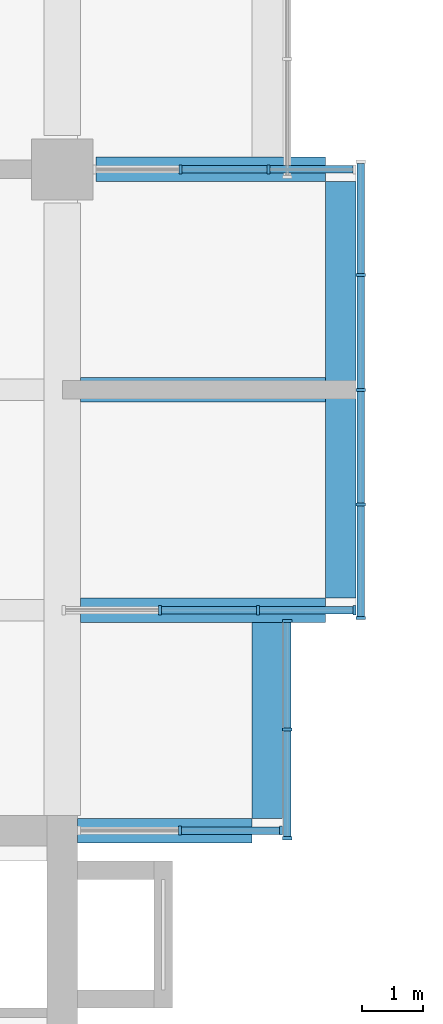
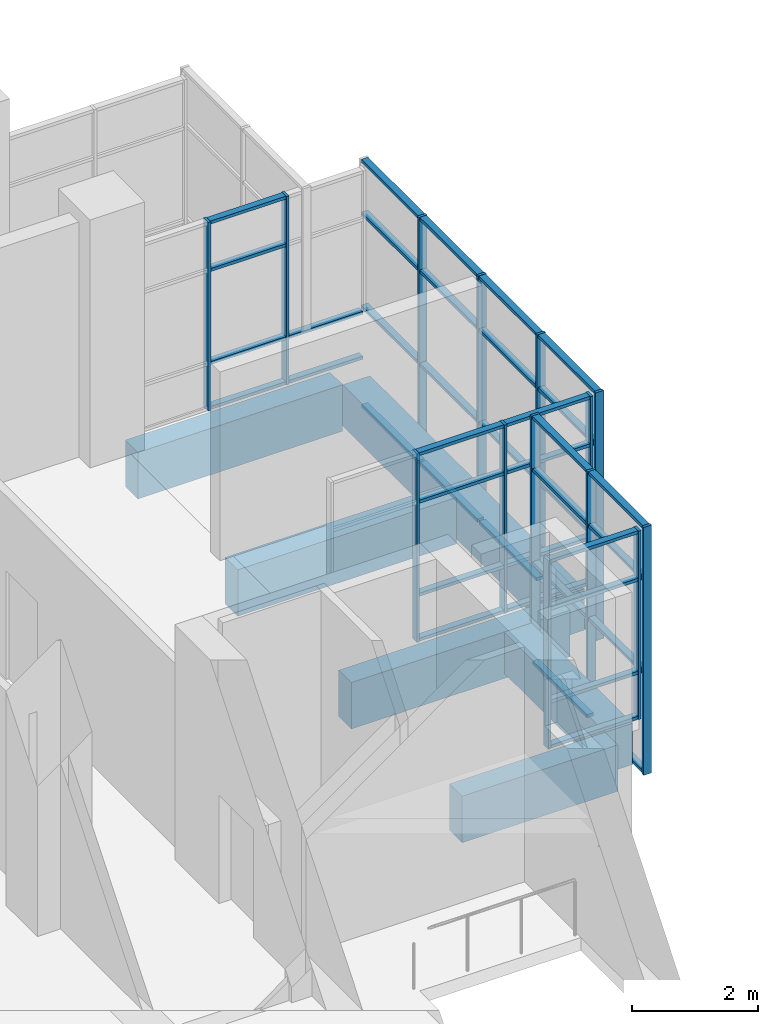
# One storey, part 16 of 45: 56 members, 7 beams, 5 elements without a shape of their own.
"""IFC4 building model written with IfcOpenShell, lengths in metres."""

from ifc_helpers import new_model, si_unit, direction, frame, origin, origin_2d, place, context, subcontext, project, spatial, rectangle, extrude, material, layer, layer_set, material_profile, profile_set, type_object, element, aggregate, save


model = new_model("IFC4")

# Units and contexts
model_context = context("Model", 3, precision=1e-05, world=origin(), true_north=direction((0.0, 1.0)))
body_context = subcontext(model_context, "Body", "Model", "MODEL_VIEW")
ifc_project = project(units=[si_unit("LENGTHUNIT", "METRE"), si_unit("AREAUNIT", "SQUARE_METRE"), si_unit("VOLUMEUNIT", "CUBIC_METRE"), si_unit("PLANEANGLEUNIT", "RADIAN"), si_unit("MASSUNIT", "GRAM", prefix="KILO")], contexts=[model_context])

# Site, building, storey
site_placement = place(None, origin())
site = spatial("IfcSite", under=ifc_project, at=site_placement, CompositionType="ELEMENT")
building_placement = place(site_placement, origin())
building = spatial("IfcBuilding", under=site, at=building_placement, Name="Basin Gate Institute", CompositionType="ELEMENT")
storey_placement = place(building_placement, frame((0.0, 0.0, 22.199951171875)))
storey = spatial("IfcBuildingStorey", under=building, at=storey_placement, Name="L04", CompositionType="ELEMENT", Elevation=22.199951171875)

# Beams
ifc_material_1 = material(Name="Concrete 50 MPa", Category="concrete")
ifc_material_profile_1 = material_profile(ifc_material_1, rectangle(XDim=0.39990234375, YDim=0.89990234375, at=origin_2d()), Name="Cantilever beam B3 400 x 900")
ifc_profile_set_1 = profile_set([ifc_material_profile_1], Name="Concrete 50 MPa")
beam_type_1 = type_object("IfcBeamType", Name="Cantilever beam B3 R120", PredefinedType="BEAM", material=ifc_profile_set_1)
beam_1_placement = place(storey_placement, frame((121.89990234375, 45.89990234375, -0.699951171875), z_axis=(-1.0, 0.0, 0.0), x_axis=(0.0, -1.0, 0.0)))
element("IfcBeam", 1, at=beam_1_placement, inside=storey, type_object=beam_type_1, material=ifc_profile_set_1, Name="BEAM/L04/E/CANT/04", PredefinedType="BEAM", context=body_context, shape_type="SweptSolid", body=[
    extrude(rectangle(XDim=0.39990234375, YDim=0.89990234375, at=origin_2d()), origin(), (0.0, 0.0, 1.0), 2.849853515625),
])
for number, where, z_axis, x_axis, name in (
    (2, (123.10009765625, 49.5, -0.699951171875), (-1.0, 0.0, 0.0), (0.0, -1.0, 0.0), "BEAM/L04/E/CANT/05"),
    (3, (123.10009765625, 53.10009765625, -0.699951171875), (-1.0, 0.0, 0.0), (0.0, -1.0, 0.0), "BEAM/L04/E/CANT/06"),
):
    element("IfcBeam", number, at=place(storey_placement, frame(where, z_axis=z_axis, x_axis=x_axis)), inside=storey, type_object=beam_type_1, material=ifc_profile_set_1, Name=name, PredefinedType="BEAM", context=body_context, shape_type="SweptSolid", body=[
        extrude(rectangle(XDim=0.39990234375, YDim=0.89990234375, at=origin_2d()), origin(), (0.0, 0.0, 1.0), 4.0),
    ])
beam_2_placement = place(storey_placement, frame((123.10009765625, 56.699951171875, -0.699951171875), z_axis=(-1.0, 0.0, 0.0), x_axis=(0.0, -1.0, 0.0)))
element("IfcBeam", 4, at=beam_2_placement, inside=storey, type_object=beam_type_1, material=ifc_profile_set_1, Name="BEAM/L04/E/CANT/07", PredefinedType="BEAM", context=body_context, shape_type="SweptSolid", body=[
    extrude(rectangle(XDim=0.39990234375, YDim=0.89990234375, at=origin_2d()), origin(), (0.0, 0.0, 1.0), 3.75),
])

# Curtain wall, members
ifc_material_2 = material(Name="Aluminium-framed glazing", Category="aluminium")
ifc_layer = layer(ifc_material_2, 0.14990234375)
ifc_layer_set = layer_set([ifc_layer], Name="Capsule front curtain wall CW1")
curtain_wall_type = type_object("IfcCurtainWallType", Name="Capsule front curtain wall CW1", PredefinedType="NOTDEFINED", material=ifc_layer_set)
curtain_wall_1_placement = place(storey_placement, origin())
curtain_wall_1 = element("IfcCurtainWall", 5, at=curtain_wall_1_placement, inside=storey, type_object=curtain_wall_type, material=ifc_layer_set, Name="Capsule front curtain wall E wing capsule end L04 line 4", PredefinedType="NOTDEFINED")
ifc_material_3 = material(Name="Aluminium", Category="aluminium")
ifc_material_profile_2 = material_profile(ifc_material_3, rectangle(XDim=0.14990234375, YDim=0.050048828125, at=origin_2d()), Name="Mullion MU1 150 x 50")
ifc_profile_set_2 = profile_set([ifc_material_profile_2], Name="Aluminium")
member_type_1 = type_object("IfcMemberType", Name="Mullion MU1", PredefinedType="MULLION", material=ifc_profile_set_2)
member_1_placement = place(storey_placement, frame((122.375, 45.89990234375, 0.0), z_axis=(0.0, 0.0, 1.0), x_axis=(0.0, -1.0, 0.0)))
member_1 = element("IfcMember", 6, at=member_1_placement, type_object=member_type_1, material=ifc_profile_set_2, Name="CW1 mullion 1", PredefinedType="MULLION", context=body_context, shape_type="SweptSolid", body=[
    extrude(rectangle(XDim=0.14990234375, YDim=0.050048828125, at=origin_2d()), origin(), (0.0, 0.0, 1.0), 3.650146484375),
])
member_2_placement = place(storey_placement, frame((120.72509765625, 45.89990234375, 0.0), z_axis=(0.0, 0.0, 1.0), x_axis=(0.0, -1.0, 0.0)))
member_2 = element("IfcMember", 7, at=member_2_placement, type_object=member_type_1, material=ifc_profile_set_2, Name="CW1 mullion 2", PredefinedType="MULLION", context=body_context, shape_type="SweptSolid", body=[
    extrude(rectangle(XDim=0.14990234375, YDim=0.050048828125, at=origin_2d()), origin(), (0.0, 0.0, 1.0), 3.650146484375),
])

curtain_wall_2_placement = place(storey_placement, origin())
curtain_wall_2 = element("IfcCurtainWall", 8, at=curtain_wall_2_placement, inside=storey, type_object=curtain_wall_type, material=ifc_layer_set, Name="Capsule front curtain wall E wing capsule end L04 line 5", PredefinedType="NOTDEFINED")
member_3_placement = place(storey_placement, frame((123.574951171875, 49.5, 0.0), z_axis=(0.0, 0.0, 1.0), x_axis=(0.0, -1.0, 0.0)))
member_3 = element("IfcMember", 9, at=member_3_placement, type_object=member_type_1, material=ifc_profile_set_2, Name="CW1 mullion 1", PredefinedType="MULLION", context=body_context, shape_type="SweptSolid", body=[
    extrude(rectangle(XDim=0.14990234375, YDim=0.050048828125, at=origin_2d()), origin(), (0.0, 0.0, 1.0), 3.650146484375),
])
member_4_placement = place(storey_placement, frame((122.0, 49.5, 0.0), z_axis=(0.0, 0.0, 1.0), x_axis=(0.0, -1.0, 0.0)))
member_4 = element("IfcMember", 10, at=member_4_placement, type_object=member_type_1, material=ifc_profile_set_2, Name="CW1 mullion 2", PredefinedType="MULLION", context=body_context, shape_type="SweptSolid", body=[
    extrude(rectangle(XDim=0.14990234375, YDim=0.050048828125, at=origin_2d()), origin(), (0.0, 0.0, 1.0), 3.650146484375),
])
member_5_placement = place(storey_placement, frame((120.39990234375, 49.5, 0.0), z_axis=(0.0, 0.0, 1.0), x_axis=(0.0, -1.0, 0.0)))
member_5 = element("IfcMember", 11, at=member_5_placement, type_object=member_type_1, material=ifc_profile_set_2, Name="CW1 mullion 3", PredefinedType="MULLION", context=body_context, shape_type="SweptSolid", body=[
    extrude(rectangle(XDim=0.14990234375, YDim=0.050048828125, at=origin_2d()), origin(), (0.0, 0.0, 1.0), 3.650146484375),
])

curtain_wall_3_placement = place(storey_placement, origin())
curtain_wall_3 = element("IfcCurtainWall", 12, at=curtain_wall_3_placement, inside=storey, type_object=curtain_wall_type, material=ifc_layer_set, Name="Capsule front curtain wall E wing capsule end L04 line 7", PredefinedType="NOTDEFINED")
member_6_placement = place(storey_placement, frame((122.166748046875, 56.699951171875, 0.0), z_axis=(0.0, 0.0, 1.0), x_axis=(0.0, -1.0, 0.0)))
member_6 = element("IfcMember", 13, at=member_6_placement, type_object=member_type_1, material=ifc_profile_set_2, Name="CW1 mullion 2", PredefinedType="MULLION", context=body_context, shape_type="SweptSolid", body=[
    extrude(rectangle(XDim=0.14990234375, YDim=0.050048828125, at=origin_2d()), origin(), (0.0, 0.0, 1.0), 3.650146484375),
])
member_7_placement = place(storey_placement, frame((120.7333984375, 56.699951171875, 0.0), z_axis=(0.0, 0.0, 1.0), x_axis=(0.0, -1.0, 0.0)))
member_7 = element("IfcMember", 14, at=member_7_placement, type_object=member_type_1, material=ifc_profile_set_2, Name="CW1 mullion 3", PredefinedType="MULLION", context=body_context, shape_type="SweptSolid", body=[
    extrude(rectangle(XDim=0.14990234375, YDim=0.050048828125, at=origin_2d()), origin(), (0.0, 0.0, 1.0), 3.650146484375),
])

curtain_wall_4_placement = place(storey_placement, origin())
curtain_wall_4 = element("IfcCurtainWall", 15, at=curtain_wall_4_placement, inside=storey, type_object=curtain_wall_type, material=ifc_layer_set, Name="Capsule front curtain wall E wing capsule 1 L04 front 1", PredefinedType="NOTDEFINED")
member_8_placement = place(storey_placement, frame((122.47509765625, 45.77490234375, -1.050048828125), z_axis=(0.0, 0.0, 1.0), x_axis=(-1.0, 0.0, 0.0)))
member_8 = element("IfcMember", 16, at=member_8_placement, type_object=member_type_1, material=ifc_profile_set_2, Name="CW1 mullion 1", PredefinedType="MULLION", context=body_context, shape_type="SweptSolid", body=[
    extrude(rectangle(XDim=0.14990234375, YDim=0.050048828125, at=origin_2d()), origin(), (0.0, 0.0, 1.0), 4.800048828125),
])
member_9_placement = place(storey_placement, frame((122.47509765625, 47.550048828125, -1.050048828125), z_axis=(0.0, 0.0, 1.0), x_axis=(-1.0, 0.0, 0.0)))
member_9 = element("IfcMember", 17, at=member_9_placement, type_object=member_type_1, material=ifc_profile_set_2, Name="CW1 mullion 2", PredefinedType="MULLION", context=body_context, shape_type="SweptSolid", body=[
    extrude(rectangle(XDim=0.14990234375, YDim=0.050048828125, at=origin_2d()), origin(), (0.0, 0.0, 1.0), 4.800048828125),
])
member_10_placement = place(storey_placement, frame((122.47509765625, 49.324951171875, -1.050048828125), z_axis=(0.0, 0.0, 1.0), x_axis=(-1.0, 0.0, 0.0)))
member_10 = element("IfcMember", 18, at=member_10_placement, type_object=member_type_1, material=ifc_profile_set_2, Name="CW1 mullion 3", PredefinedType="MULLION", context=body_context, shape_type="SweptSolid", body=[
    extrude(rectangle(XDim=0.14990234375, YDim=0.050048828125, at=origin_2d()), origin(), (0.0, 0.0, 1.0), 4.800048828125),
])

curtain_wall_5_placement = place(storey_placement, origin())
curtain_wall_5 = element("IfcCurtainWall", 19, at=curtain_wall_5_placement, inside=storey, type_object=curtain_wall_type, material=ifc_layer_set, Name="Capsule front curtain wall E wing capsule 1 L04 front 2", PredefinedType="NOTDEFINED")
member_11_placement = place(storey_placement, frame((123.675048828125, 49.375, -1.050048828125), z_axis=(0.0, 0.0, 1.0), x_axis=(-1.0, 0.0, 0.0)))
member_11 = element("IfcMember", 20, at=member_11_placement, type_object=member_type_1, material=ifc_profile_set_2, Name="CW1 mullion 1", PredefinedType="MULLION", context=body_context, shape_type="SweptSolid", body=[
    extrude(rectangle(XDim=0.14990234375, YDim=0.050048828125, at=origin_2d()), origin(), (0.0, 0.0, 1.0), 4.800048828125),
])
member_12_placement = place(storey_placement, frame((123.675048828125, 51.22509765625, -1.050048828125), z_axis=(0.0, 0.0, 1.0), x_axis=(-1.0, 0.0, 0.0)))
member_12 = element("IfcMember", 21, at=member_12_placement, type_object=member_type_1, material=ifc_profile_set_2, Name="CW1 mullion 2", PredefinedType="MULLION", context=body_context, shape_type="SweptSolid", body=[
    extrude(rectangle(XDim=0.14990234375, YDim=0.050048828125, at=origin_2d()), origin(), (0.0, 0.0, 1.0), 4.800048828125),
])
member_13_placement = place(storey_placement, frame((123.675048828125, 53.10009765625, -1.050048828125), z_axis=(0.0, 0.0, 1.0), x_axis=(-1.0, 0.0, 0.0)))
member_13 = element("IfcMember", 22, at=member_13_placement, type_object=member_type_1, material=ifc_profile_set_2, Name="CW1 mullion 3", PredefinedType="MULLION", context=body_context, shape_type="SweptSolid", body=[
    extrude(rectangle(XDim=0.14990234375, YDim=0.050048828125, at=origin_2d()), origin(), (0.0, 0.0, 1.0), 4.800048828125),
])
member_14_placement = place(storey_placement, frame((123.675048828125, 54.97509765625, -1.050048828125), z_axis=(0.0, 0.0, 1.0), x_axis=(-1.0, 0.0, 0.0)))
member_14 = element("IfcMember", 23, at=member_14_placement, type_object=member_type_1, material=ifc_profile_set_2, Name="CW1 mullion 4", PredefinedType="MULLION", context=body_context, shape_type="SweptSolid", body=[
    extrude(rectangle(XDim=0.14990234375, YDim=0.050048828125, at=origin_2d()), origin(), (0.0, 0.0, 1.0), 4.800048828125),
])

# Beams
ifc_material_4 = material(Name="Concrete 50 MPa", Category="concrete")
ifc_material_profile_3 = material_profile(ifc_material_4, rectangle(XDim=0.5, YDim=0.800048828125, at=origin_2d()), Name="Tip beam TB1 500 x 800")
ifc_profile_set_3 = profile_set([ifc_material_profile_3], Name="Concrete 50 MPa")
beam_type_2 = type_object("IfcBeamType", Name="Tip beam TB1 R120", PredefinedType="SPANDREL", material=ifc_profile_set_3)
beam_3_placement = place(storey_placement, frame((122.14990234375, 46.10009765625, -0.64990234375), z_axis=(0.0, 1.0, 0.0), x_axis=(-1.0, 0.0, 0.0)))
element("IfcBeam", 24, at=beam_3_placement, inside=storey, type_object=beam_type_2, material=ifc_profile_set_3, Name="BEAM/L04/E/TIP/1", PredefinedType="SPANDREL", context=body_context, shape_type="SweptSolid", body=[
    extrude(rectangle(XDim=0.5, YDim=0.800048828125, at=origin_2d()), origin(), (0.0, 0.0, 1.0), 3.199951171875),
])
beam_4_placement = place(storey_placement, frame((123.35009765625, 49.699951171875, -0.64990234375), z_axis=(0.0, 1.0, 0.0), x_axis=(-1.0, 0.0, 0.0)))
element("IfcBeam", 25, at=beam_4_placement, inside=storey, type_object=beam_type_2, material=ifc_profile_set_3, Name="BEAM/L04/E/TIP/2", PredefinedType="SPANDREL", context=body_context, shape_type="SweptSolid", body=[
    extrude(rectangle(XDim=0.5, YDim=0.800048828125, at=origin_2d()), origin(), (0.0, 0.0, 1.0), 3.400146484375),
])
beam_5_placement = place(storey_placement, frame((123.35009765625, 53.10009765625, -0.64990234375), z_axis=(0.0, 1.0, 0.0), x_axis=(-1.0, 0.0, 0.0)))
element("IfcBeam", 26, at=beam_5_placement, inside=storey, type_object=beam_type_2, material=ifc_profile_set_3, Name="BEAM/L04/E/TIP/3", PredefinedType="SPANDREL", context=body_context, shape_type="SweptSolid", body=[
    extrude(rectangle(XDim=0.5, YDim=0.800048828125, at=origin_2d()), origin(), (0.0, 0.0, 1.0), 3.39990234375),
])

# Member
ifc_material_5 = material(Name="Aluminium", Category="aluminium")
ifc_material_profile_4 = material_profile(ifc_material_5, rectangle(XDim=0.1201171875, YDim=0.06005859375, at=origin_2d()), Name="Transom TR1 120 x 60")
ifc_profile_set_4 = profile_set([ifc_material_profile_4], Name="Aluminium")
member_type_2 = type_object("IfcMemberType", Name="Transom TR1", PredefinedType="USERDEFINED", material=ifc_profile_set_4)
member_15_placement = place(storey_placement, frame((122.35009765625, 45.89990234375, 0.030029296875), z_axis=(-1.0, 0.0, 0.0), x_axis=(0.0, -1.0, 0.0)))
member_15 = element("IfcMember", 27, at=member_15_placement, type_object=member_type_2, material=ifc_profile_set_4, Name="CW1 transom 1.1", ObjectType="TRANSOM", PredefinedType="USERDEFINED", context=body_context, shape_type="SweptSolid", body=[
    extrude(rectangle(XDim=0.1201171875, YDim=0.06005859375, at=origin_2d()), origin(), (0.0, 0.0, 1.0), 1.60009765625),
])

member_16_placement = place(storey_placement, frame((122.35009765625, 45.89990234375, 0.900146484375), z_axis=(-1.0, 0.0, 0.0), x_axis=(0.0, -1.0, 0.0)))
member_16 = element("IfcMember", 28, at=member_16_placement, type_object=member_type_2, material=ifc_profile_set_4, Name="CW1 transom 1.2", ObjectType="TRANSOM", PredefinedType="USERDEFINED", context=body_context, shape_type="SweptSolid", body=[
    extrude(rectangle(XDim=0.1201171875, YDim=0.06005859375, at=origin_2d()), origin(), (0.0, 0.0, 1.0), 1.60009765625),
])

member_17_placement = place(storey_placement, frame((122.35009765625, 45.89990234375, 2.699951171875), z_axis=(-1.0, 0.0, 0.0), x_axis=(0.0, -1.0, 0.0)))
member_17 = element("IfcMember", 29, at=member_17_placement, type_object=member_type_2, material=ifc_profile_set_4, Name="CW1 transom 1.3", ObjectType="TRANSOM", PredefinedType="USERDEFINED", context=body_context, shape_type="SweptSolid", body=[
    extrude(rectangle(XDim=0.1201171875, YDim=0.06005859375, at=origin_2d()), origin(), (0.0, 0.0, 1.0), 1.60009765625),
])

member_18_placement = place(storey_placement, frame((122.35009765625, 45.89990234375, 3.6201171875), z_axis=(-1.0, 0.0, 0.0), x_axis=(0.0, -1.0, 0.0)))
member_18 = element("IfcMember", 30, at=member_18_placement, type_object=member_type_2, material=ifc_profile_set_4, Name="CW1 transom 1.4", ObjectType="TRANSOM", PredefinedType="USERDEFINED", context=body_context, shape_type="SweptSolid", body=[
    extrude(rectangle(XDim=0.1201171875, YDim=0.06005859375, at=origin_2d()), origin(), (0.0, 0.0, 1.0), 1.60009765625),
])

aggregate(curtain_wall_1, [member_1, member_2, member_15, member_16, member_17, member_18])

member_19_placement = place(storey_placement, frame((123.550048828125, 49.5, 0.030029296875), z_axis=(-1.0, 0.0, 0.0), x_axis=(0.0, -1.0, 0.0)))
member_19 = element("IfcMember", 31, at=member_19_placement, type_object=member_type_2, material=ifc_profile_set_4, Name="CW1 transom 1.1", ObjectType="TRANSOM", PredefinedType="USERDEFINED", context=body_context, shape_type="SweptSolid", body=[
    extrude(rectangle(XDim=0.1201171875, YDim=0.06005859375, at=origin_2d()), origin(), (0.0, 0.0, 1.0), 1.525146484375),
])

member_20_placement = place(storey_placement, frame((123.550048828125, 49.5, 0.900146484375), z_axis=(-1.0, 0.0, 0.0), x_axis=(0.0, -1.0, 0.0)))
member_20 = element("IfcMember", 32, at=member_20_placement, type_object=member_type_2, material=ifc_profile_set_4, Name="CW1 transom 1.2", ObjectType="TRANSOM", PredefinedType="USERDEFINED", context=body_context, shape_type="SweptSolid", body=[
    extrude(rectangle(XDim=0.1201171875, YDim=0.06005859375, at=origin_2d()), origin(), (0.0, 0.0, 1.0), 1.525146484375),
])

member_21_placement = place(storey_placement, frame((123.550048828125, 49.5, 2.699951171875), z_axis=(-1.0, 0.0, 0.0), x_axis=(0.0, -1.0, 0.0)))
member_21 = element("IfcMember", 33, at=member_21_placement, type_object=member_type_2, material=ifc_profile_set_4, Name="CW1 transom 1.3", ObjectType="TRANSOM", PredefinedType="USERDEFINED", context=body_context, shape_type="SweptSolid", body=[
    extrude(rectangle(XDim=0.1201171875, YDim=0.06005859375, at=origin_2d()), origin(), (0.0, 0.0, 1.0), 1.525146484375),
])

member_22_placement = place(storey_placement, frame((123.550048828125, 49.5, 3.6201171875), z_axis=(-1.0, 0.0, 0.0), x_axis=(0.0, -1.0, 0.0)))
member_22 = element("IfcMember", 34, at=member_22_placement, type_object=member_type_2, material=ifc_profile_set_4, Name="CW1 transom 1.4", ObjectType="TRANSOM", PredefinedType="USERDEFINED", context=body_context, shape_type="SweptSolid", body=[
    extrude(rectangle(XDim=0.1201171875, YDim=0.06005859375, at=origin_2d()), origin(), (0.0, 0.0, 1.0), 1.525146484375),
])

member_23_placement = place(storey_placement, frame((121.97509765625, 49.5, 0.030029296875), z_axis=(-1.0, 0.0, 0.0), x_axis=(0.0, -1.0, 0.0)))
member_23 = element("IfcMember", 35, at=member_23_placement, type_object=member_type_2, material=ifc_profile_set_4, Name="CW1 transom 2.1", ObjectType="TRANSOM", PredefinedType="USERDEFINED", context=body_context, shape_type="SweptSolid", body=[
    extrude(rectangle(XDim=0.1201171875, YDim=0.06005859375, at=origin_2d()), origin(), (0.0, 0.0, 1.0), 1.550048828125),
])

member_24_placement = place(storey_placement, frame((121.97509765625, 49.5, 0.900146484375), z_axis=(-1.0, 0.0, 0.0), x_axis=(0.0, -1.0, 0.0)))
member_24 = element("IfcMember", 36, at=member_24_placement, type_object=member_type_2, material=ifc_profile_set_4, Name="CW1 transom 2.2", ObjectType="TRANSOM", PredefinedType="USERDEFINED", context=body_context, shape_type="SweptSolid", body=[
    extrude(rectangle(XDim=0.1201171875, YDim=0.06005859375, at=origin_2d()), origin(), (0.0, 0.0, 1.0), 1.550048828125),
])

member_25_placement = place(storey_placement, frame((121.97509765625, 49.5, 2.699951171875), z_axis=(-1.0, 0.0, 0.0), x_axis=(0.0, -1.0, 0.0)))
member_25 = element("IfcMember", 37, at=member_25_placement, type_object=member_type_2, material=ifc_profile_set_4, Name="CW1 transom 2.3", ObjectType="TRANSOM", PredefinedType="USERDEFINED", context=body_context, shape_type="SweptSolid", body=[
    extrude(rectangle(XDim=0.1201171875, YDim=0.06005859375, at=origin_2d()), origin(), (0.0, 0.0, 1.0), 1.550048828125),
])

member_26_placement = place(storey_placement, frame((121.97509765625, 49.5, 3.6201171875), z_axis=(-1.0, 0.0, 0.0), x_axis=(0.0, -1.0, 0.0)))
member_26 = element("IfcMember", 38, at=member_26_placement, type_object=member_type_2, material=ifc_profile_set_4, Name="CW1 transom 2.4", ObjectType="TRANSOM", PredefinedType="USERDEFINED", context=body_context, shape_type="SweptSolid", body=[
    extrude(rectangle(XDim=0.1201171875, YDim=0.06005859375, at=origin_2d()), origin(), (0.0, 0.0, 1.0), 1.550048828125),
])

aggregate(curtain_wall_2, [member_3, member_4, member_5, member_19, member_20, member_21, member_22, member_23, member_24, member_25, member_26])

member_27_placement = place(storey_placement, frame((123.550048828125, 56.699951171875, 0.030029296875), z_axis=(-1.0, 0.0, 0.0), x_axis=(0.0, -1.0, 0.0)))
member_27 = element("IfcMember", 39, at=member_27_placement, type_object=member_type_2, material=ifc_profile_set_4, Name="CW1 transom 1.1", ObjectType="TRANSOM", PredefinedType="USERDEFINED", context=body_context, shape_type="SweptSolid", body=[
    extrude(rectangle(XDim=0.1201171875, YDim=0.06005859375, at=origin_2d()), origin(), (0.0, 0.0, 1.0), 1.3583984375),
])

member_28_placement = place(storey_placement, frame((123.550048828125, 56.699951171875, 0.900146484375), z_axis=(-1.0, 0.0, 0.0), x_axis=(0.0, -1.0, 0.0)))
member_28 = element("IfcMember", 40, at=member_28_placement, type_object=member_type_2, material=ifc_profile_set_4, Name="CW1 transom 1.2", ObjectType="TRANSOM", PredefinedType="USERDEFINED", context=body_context, shape_type="SweptSolid", body=[
    extrude(rectangle(XDim=0.1201171875, YDim=0.06005859375, at=origin_2d()), origin(), (0.0, 0.0, 1.0), 1.3583984375),
])

member_29_placement = place(storey_placement, frame((122.1416015625, 56.699951171875, 0.030029296875), z_axis=(-1.0, 0.0, 0.0), x_axis=(0.0, -1.0, 0.0)))
member_29 = element("IfcMember", 41, at=member_29_placement, type_object=member_type_2, material=ifc_profile_set_4, Name="CW1 transom 2.1", ObjectType="TRANSOM", PredefinedType="USERDEFINED", context=body_context, shape_type="SweptSolid", body=[
    extrude(rectangle(XDim=0.1201171875, YDim=0.06005859375, at=origin_2d()), origin(), (0.0, 0.0, 1.0), 1.38330078125),
])

member_30_placement = place(storey_placement, frame((122.1416015625, 56.699951171875, 0.900146484375), z_axis=(-1.0, 0.0, 0.0), x_axis=(0.0, -1.0, 0.0)))
member_30 = element("IfcMember", 42, at=member_30_placement, type_object=member_type_2, material=ifc_profile_set_4, Name="CW1 transom 2.2", ObjectType="TRANSOM", PredefinedType="USERDEFINED", context=body_context, shape_type="SweptSolid", body=[
    extrude(rectangle(XDim=0.1201171875, YDim=0.06005859375, at=origin_2d()), origin(), (0.0, 0.0, 1.0), 1.38330078125),
])

member_31_placement = place(storey_placement, frame((122.1416015625, 56.699951171875, 2.699951171875), z_axis=(-1.0, 0.0, 0.0), x_axis=(0.0, -1.0, 0.0)))
member_31 = element("IfcMember", 43, at=member_31_placement, type_object=member_type_2, material=ifc_profile_set_4, Name="CW1 transom 2.3", ObjectType="TRANSOM", PredefinedType="USERDEFINED", context=body_context, shape_type="SweptSolid", body=[
    extrude(rectangle(XDim=0.1201171875, YDim=0.06005859375, at=origin_2d()), origin(), (0.0, 0.0, 1.0), 1.38330078125),
])

member_32_placement = place(storey_placement, frame((122.1416015625, 56.699951171875, 3.6201171875), z_axis=(-1.0, 0.0, 0.0), x_axis=(0.0, -1.0, 0.0)))
member_32 = element("IfcMember", 44, at=member_32_placement, type_object=member_type_2, material=ifc_profile_set_4, Name="CW1 transom 2.4", ObjectType="TRANSOM", PredefinedType="USERDEFINED", context=body_context, shape_type="SweptSolid", body=[
    extrude(rectangle(XDim=0.1201171875, YDim=0.06005859375, at=origin_2d()), origin(), (0.0, 0.0, 1.0), 1.38330078125),
])

aggregate(curtain_wall_3, [member_6, member_7, member_27, member_28, member_29, member_30, member_31, member_32])

member_33_placement = place(storey_placement, frame((122.47509765625, 45.800048828125, -1.02001953125), z_axis=(0.0, 1.0, 0.0), x_axis=(-1.0, 0.0, 0.0)))
member_33 = element("IfcMember", 45, at=member_33_placement, type_object=member_type_2, material=ifc_profile_set_4, Name="CW1 transom 1.1", ObjectType="TRANSOM", PredefinedType="USERDEFINED", context=body_context, shape_type="SweptSolid", body=[
    extrude(rectangle(XDim=0.1201171875, YDim=0.06005859375, at=origin_2d()), origin(), (0.0, 0.0, 1.0), 1.724853515625),
])

member_34_placement = place(storey_placement, frame((122.47509765625, 45.800048828125, 0.900146484375), z_axis=(0.0, 1.0, 0.0), x_axis=(-1.0, 0.0, 0.0)))
member_34 = element("IfcMember", 46, at=member_34_placement, type_object=member_type_2, material=ifc_profile_set_4, Name="CW1 transom 1.2", ObjectType="TRANSOM", PredefinedType="USERDEFINED", context=body_context, shape_type="SweptSolid", body=[
    extrude(rectangle(XDim=0.1201171875, YDim=0.06005859375, at=origin_2d()), origin(), (0.0, 0.0, 1.0), 1.724853515625),
])

member_35_placement = place(storey_placement, frame((122.47509765625, 45.800048828125, 2.699951171875), z_axis=(0.0, 1.0, 0.0), x_axis=(-1.0, 0.0, 0.0)))
member_35 = element("IfcMember", 47, at=member_35_placement, type_object=member_type_2, material=ifc_profile_set_4, Name="CW1 transom 1.3", ObjectType="TRANSOM", PredefinedType="USERDEFINED", context=body_context, shape_type="SweptSolid", body=[
    extrude(rectangle(XDim=0.1201171875, YDim=0.06005859375, at=origin_2d()), origin(), (0.0, 0.0, 1.0), 1.724853515625),
])

member_36_placement = place(storey_placement, frame((122.47509765625, 45.800048828125, 3.719970703125), z_axis=(0.0, 1.0, 0.0), x_axis=(-1.0, 0.0, 0.0)))
member_36 = element("IfcMember", 48, at=member_36_placement, type_object=member_type_2, material=ifc_profile_set_4, Name="CW1 transom 1.4", ObjectType="TRANSOM", PredefinedType="USERDEFINED", context=body_context, shape_type="SweptSolid", body=[
    extrude(rectangle(XDim=0.1201171875, YDim=0.06005859375, at=origin_2d()), origin(), (0.0, 0.0, 1.0), 1.724853515625),
])

member_37_placement = place(storey_placement, frame((122.47509765625, 47.574951171875, -1.02001953125), z_axis=(0.0, 1.0, 0.0), x_axis=(-1.0, 0.0, 0.0)))
member_37 = element("IfcMember", 49, at=member_37_placement, type_object=member_type_2, material=ifc_profile_set_4, Name="CW1 transom 2.1", ObjectType="TRANSOM", PredefinedType="USERDEFINED", context=body_context, shape_type="SweptSolid", body=[
    extrude(rectangle(XDim=0.1201171875, YDim=0.06005859375, at=origin_2d()), origin(), (0.0, 0.0, 1.0), 1.72509765625),
])

member_38_placement = place(storey_placement, frame((122.47509765625, 47.574951171875, 0.900146484375), z_axis=(0.0, 1.0, 0.0), x_axis=(-1.0, 0.0, 0.0)))
member_38 = element("IfcMember", 50, at=member_38_placement, type_object=member_type_2, material=ifc_profile_set_4, Name="CW1 transom 2.2", ObjectType="TRANSOM", PredefinedType="USERDEFINED", context=body_context, shape_type="SweptSolid", body=[
    extrude(rectangle(XDim=0.1201171875, YDim=0.06005859375, at=origin_2d()), origin(), (0.0, 0.0, 1.0), 1.72509765625),
])

member_39_placement = place(storey_placement, frame((122.47509765625, 47.574951171875, 2.699951171875), z_axis=(0.0, 1.0, 0.0), x_axis=(-1.0, 0.0, 0.0)))
member_39 = element("IfcMember", 51, at=member_39_placement, type_object=member_type_2, material=ifc_profile_set_4, Name="CW1 transom 2.3", ObjectType="TRANSOM", PredefinedType="USERDEFINED", context=body_context, shape_type="SweptSolid", body=[
    extrude(rectangle(XDim=0.1201171875, YDim=0.06005859375, at=origin_2d()), origin(), (0.0, 0.0, 1.0), 1.72509765625),
])

member_40_placement = place(storey_placement, frame((122.47509765625, 47.574951171875, 3.719970703125), z_axis=(0.0, 1.0, 0.0), x_axis=(-1.0, 0.0, 0.0)))
member_40 = element("IfcMember", 52, at=member_40_placement, type_object=member_type_2, material=ifc_profile_set_4, Name="CW1 transom 2.4", ObjectType="TRANSOM", PredefinedType="USERDEFINED", context=body_context, shape_type="SweptSolid", body=[
    extrude(rectangle(XDim=0.1201171875, YDim=0.06005859375, at=origin_2d()), origin(), (0.0, 0.0, 1.0), 1.72509765625),
])

aggregate(curtain_wall_4, [member_8, member_9, member_10, member_33, member_34, member_35, member_36, member_37, member_38, member_39, member_40])

member_41_placement = place(storey_placement, frame((123.675048828125, 49.39990234375, -1.02001953125), z_axis=(0.0, 1.0, 0.0), x_axis=(-1.0, 0.0, 0.0)))
member_41 = element("IfcMember", 53, at=member_41_placement, type_object=member_type_2, material=ifc_profile_set_4, Name="CW1 transom 1.1", ObjectType="TRANSOM", PredefinedType="USERDEFINED", context=body_context, shape_type="SweptSolid", body=[
    extrude(rectangle(XDim=0.1201171875, YDim=0.06005859375, at=origin_2d()), origin(), (0.0, 0.0, 1.0), 1.800048828125),
])

member_42_placement = place(storey_placement, frame((123.675048828125, 49.39990234375, 0.900146484375), z_axis=(0.0, 1.0, 0.0), x_axis=(-1.0, 0.0, 0.0)))
member_42 = element("IfcMember", 54, at=member_42_placement, type_object=member_type_2, material=ifc_profile_set_4, Name="CW1 transom 1.2", ObjectType="TRANSOM", PredefinedType="USERDEFINED", context=body_context, shape_type="SweptSolid", body=[
    extrude(rectangle(XDim=0.1201171875, YDim=0.06005859375, at=origin_2d()), origin(), (0.0, 0.0, 1.0), 1.800048828125),
])

member_43_placement = place(storey_placement, frame((123.675048828125, 49.39990234375, 2.699951171875), z_axis=(0.0, 1.0, 0.0), x_axis=(-1.0, 0.0, 0.0)))
member_43 = element("IfcMember", 55, at=member_43_placement, type_object=member_type_2, material=ifc_profile_set_4, Name="CW1 transom 1.3", ObjectType="TRANSOM", PredefinedType="USERDEFINED", context=body_context, shape_type="SweptSolid", body=[
    extrude(rectangle(XDim=0.1201171875, YDim=0.06005859375, at=origin_2d()), origin(), (0.0, 0.0, 1.0), 1.800048828125),
])

member_44_placement = place(storey_placement, frame((123.675048828125, 49.39990234375, 3.719970703125), z_axis=(0.0, 1.0, 0.0), x_axis=(-1.0, 0.0, 0.0)))
member_44 = element("IfcMember", 56, at=member_44_placement, type_object=member_type_2, material=ifc_profile_set_4, Name="CW1 transom 1.4", ObjectType="TRANSOM", PredefinedType="USERDEFINED", context=body_context, shape_type="SweptSolid", body=[
    extrude(rectangle(XDim=0.1201171875, YDim=0.06005859375, at=origin_2d()), origin(), (0.0, 0.0, 1.0), 1.800048828125),
])

member_45_placement = place(storey_placement, frame((123.675048828125, 51.25, -1.02001953125), z_axis=(0.0, 1.0, 0.0), x_axis=(-1.0, 0.0, 0.0)))
member_45 = element("IfcMember", 57, at=member_45_placement, type_object=member_type_2, material=ifc_profile_set_4, Name="CW1 transom 2.1", ObjectType="TRANSOM", PredefinedType="USERDEFINED", context=body_context, shape_type="SweptSolid", body=[
    extrude(rectangle(XDim=0.1201171875, YDim=0.06005859375, at=origin_2d()), origin(), (0.0, 0.0, 1.0), 1.824951171875),
])

member_46_placement = place(storey_placement, frame((123.675048828125, 51.25, 0.900146484375), z_axis=(0.0, 1.0, 0.0), x_axis=(-1.0, 0.0, 0.0)))
member_46 = element("IfcMember", 58, at=member_46_placement, type_object=member_type_2, material=ifc_profile_set_4, Name="CW1 transom 2.2", ObjectType="TRANSOM", PredefinedType="USERDEFINED", context=body_context, shape_type="SweptSolid", body=[
    extrude(rectangle(XDim=0.1201171875, YDim=0.06005859375, at=origin_2d()), origin(), (0.0, 0.0, 1.0), 1.824951171875),
])

member_47_placement = place(storey_placement, frame((123.675048828125, 51.25, 2.699951171875), z_axis=(0.0, 1.0, 0.0), x_axis=(-1.0, 0.0, 0.0)))
member_47 = element("IfcMember", 59, at=member_47_placement, type_object=member_type_2, material=ifc_profile_set_4, Name="CW1 transom 2.3", ObjectType="TRANSOM", PredefinedType="USERDEFINED", context=body_context, shape_type="SweptSolid", body=[
    extrude(rectangle(XDim=0.1201171875, YDim=0.06005859375, at=origin_2d()), origin(), (0.0, 0.0, 1.0), 1.824951171875),
])

member_48_placement = place(storey_placement, frame((123.675048828125, 51.25, 3.719970703125), z_axis=(0.0, 1.0, 0.0), x_axis=(-1.0, 0.0, 0.0)))
member_48 = element("IfcMember", 60, at=member_48_placement, type_object=member_type_2, material=ifc_profile_set_4, Name="CW1 transom 2.4", ObjectType="TRANSOM", PredefinedType="USERDEFINED", context=body_context, shape_type="SweptSolid", body=[
    extrude(rectangle(XDim=0.1201171875, YDim=0.06005859375, at=origin_2d()), origin(), (0.0, 0.0, 1.0), 1.824951171875),
])

member_49_placement = place(storey_placement, frame((123.675048828125, 53.125, -1.02001953125), z_axis=(0.0, 1.0, 0.0), x_axis=(-1.0, 0.0, 0.0)))
member_49 = element("IfcMember", 61, at=member_49_placement, type_object=member_type_2, material=ifc_profile_set_4, Name="CW1 transom 3.1", ObjectType="TRANSOM", PredefinedType="USERDEFINED", context=body_context, shape_type="SweptSolid", body=[
    extrude(rectangle(XDim=0.1201171875, YDim=0.06005859375, at=origin_2d()), origin(), (0.0, 0.0, 1.0), 1.824951171875),
])

member_50_placement = place(storey_placement, frame((123.675048828125, 53.125, 0.900146484375), z_axis=(0.0, 1.0, 0.0), x_axis=(-1.0, 0.0, 0.0)))
member_50 = element("IfcMember", 62, at=member_50_placement, type_object=member_type_2, material=ifc_profile_set_4, Name="CW1 transom 3.2", ObjectType="TRANSOM", PredefinedType="USERDEFINED", context=body_context, shape_type="SweptSolid", body=[
    extrude(rectangle(XDim=0.1201171875, YDim=0.06005859375, at=origin_2d()), origin(), (0.0, 0.0, 1.0), 1.824951171875),
])

member_51_placement = place(storey_placement, frame((123.675048828125, 53.125, 2.699951171875), z_axis=(0.0, 1.0, 0.0), x_axis=(-1.0, 0.0, 0.0)))
member_51 = element("IfcMember", 63, at=member_51_placement, type_object=member_type_2, material=ifc_profile_set_4, Name="CW1 transom 3.3", ObjectType="TRANSOM", PredefinedType="USERDEFINED", context=body_context, shape_type="SweptSolid", body=[
    extrude(rectangle(XDim=0.1201171875, YDim=0.06005859375, at=origin_2d()), origin(), (0.0, 0.0, 1.0), 1.824951171875),
])

member_52_placement = place(storey_placement, frame((123.675048828125, 53.125, 3.719970703125), z_axis=(0.0, 1.0, 0.0), x_axis=(-1.0, 0.0, 0.0)))
member_52 = element("IfcMember", 64, at=member_52_placement, type_object=member_type_2, material=ifc_profile_set_4, Name="CW1 transom 3.4", ObjectType="TRANSOM", PredefinedType="USERDEFINED", context=body_context, shape_type="SweptSolid", body=[
    extrude(rectangle(XDim=0.1201171875, YDim=0.06005859375, at=origin_2d()), origin(), (0.0, 0.0, 1.0), 1.824951171875),
])

member_53_placement = place(storey_placement, frame((123.675048828125, 55.0, -1.02001953125), z_axis=(0.0, 1.0, 0.0), x_axis=(-1.0, 0.0, 0.0)))
member_53 = element("IfcMember", 65, at=member_53_placement, type_object=member_type_2, material=ifc_profile_set_4, Name="CW1 transom 4.1", ObjectType="TRANSOM", PredefinedType="USERDEFINED", context=body_context, shape_type="SweptSolid", body=[
    extrude(rectangle(XDim=0.1201171875, YDim=0.06005859375, at=origin_2d()), origin(), (0.0, 0.0, 1.0), 1.800048828125),
])

member_54_placement = place(storey_placement, frame((123.675048828125, 55.0, 0.900146484375), z_axis=(0.0, 1.0, 0.0), x_axis=(-1.0, 0.0, 0.0)))
member_54 = element("IfcMember", 66, at=member_54_placement, type_object=member_type_2, material=ifc_profile_set_4, Name="CW1 transom 4.2", ObjectType="TRANSOM", PredefinedType="USERDEFINED", context=body_context, shape_type="SweptSolid", body=[
    extrude(rectangle(XDim=0.1201171875, YDim=0.06005859375, at=origin_2d()), origin(), (0.0, 0.0, 1.0), 1.800048828125),
])

member_55_placement = place(storey_placement, frame((123.675048828125, 55.0, 2.699951171875), z_axis=(0.0, 1.0, 0.0), x_axis=(-1.0, 0.0, 0.0)))
member_55 = element("IfcMember", 67, at=member_55_placement, type_object=member_type_2, material=ifc_profile_set_4, Name="CW1 transom 4.3", ObjectType="TRANSOM", PredefinedType="USERDEFINED", context=body_context, shape_type="SweptSolid", body=[
    extrude(rectangle(XDim=0.1201171875, YDim=0.06005859375, at=origin_2d()), origin(), (0.0, 0.0, 1.0), 1.800048828125),
])

member_56_placement = place(storey_placement, frame((123.675048828125, 55.0, 3.719970703125), z_axis=(0.0, 1.0, 0.0), x_axis=(-1.0, 0.0, 0.0)))
member_56 = element("IfcMember", 68, at=member_56_placement, type_object=member_type_2, material=ifc_profile_set_4, Name="CW1 transom 4.4", ObjectType="TRANSOM", PredefinedType="USERDEFINED", context=body_context, shape_type="SweptSolid", body=[
    extrude(rectangle(XDim=0.1201171875, YDim=0.06005859375, at=origin_2d()), origin(), (0.0, 0.0, 1.0), 1.800048828125),
])

aggregate(curtain_wall_5, [member_11, member_12, member_13, member_14, member_41, member_42, member_43, member_44, member_45, member_46, member_47, member_48, member_49, member_50, member_51, member_52, member_53, member_54, member_55, member_56])

save(model, "model.ifc")
